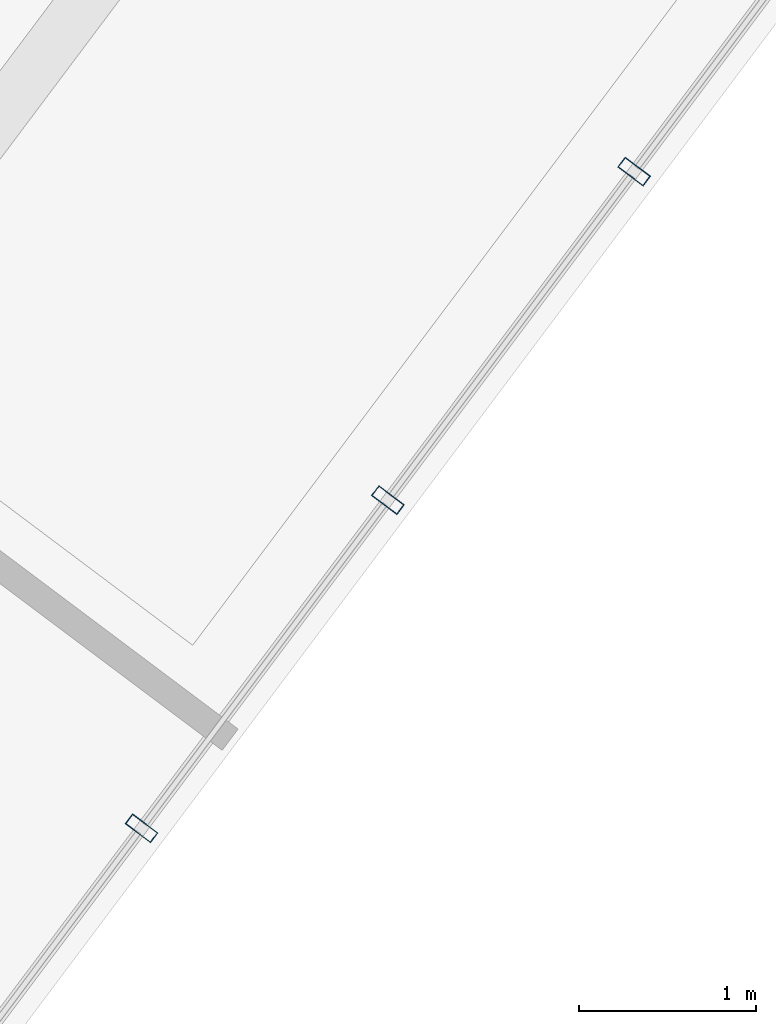
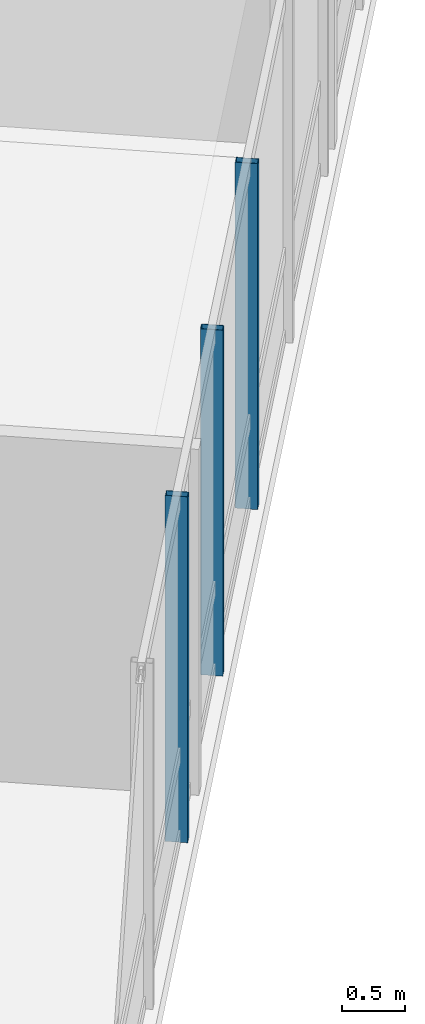
# One storey, part 11 of 24: 3 members, 1 element without a shape of its own.
"""IFC4 building model written with IfcOpenShell, lengths in metres."""

import ifcopenshell
import ifcopenshell.guid

model = None  # the IFC model being written
_history = None  # IfcOwnerHistory: only IFC2X3 demands one
_inside = {}  # id of a spatial element -> (the spatial element, [elements in it])
_under = {}  # id of a project, library or spatial element -> (it, [spatial elements below it])
_declared = {}  # id of a project -> (the project, [libraries it declares])
_typed = {}  # id of a type object -> (the type object, [elements of that type])
_made_of = {}  # id of a material, layer set ... -> (it, [elements and type objects made of it])


def new_model(schema):
    """Start an empty IFC model of exactly this schema.

    Asked for "IFC4X3", IfcOpenShell would pick the latest addendum, in which some entities
    have other attributes; the version numbers below select the first issue.
    IFC2X3 requires an IfcOwnerHistory on every rooted entity: one is made here for all.
    """
    global model, _history
    if schema == "IFC4X3":
        model = ifcopenshell.file(schema_version=(4, 3, 0, 0))
    else:
        model = ifcopenshell.file(schema=schema)
    _inside.clear()
    _under.clear()
    _declared.clear()
    _typed.clear()
    _made_of.clear()
    _history = None
    if model.schema == "IFC2X3":
        org = make("IfcOrganization", Name="unknown")
        user = make(
            "IfcPersonAndOrganization",
            ThePerson=make("IfcPerson", FamilyName="unknown"),
            TheOrganization=org,
        )
        app = make(
            "IfcApplication",
            ApplicationDeveloper=org,
            Version="unknown",
            ApplicationFullName="unknown",
            ApplicationIdentifier="unknown",
        )
        _history = make(
            "IfcOwnerHistory",
            OwningUser=user,
            OwningApplication=app,
            ChangeAction="ADDED",
            CreationDate=0,
        )
    return model


def make(cls, **values):
    """One entity of the class cls with the attributes given. An attribute that is None is left unset."""
    return model.create_entity(
        cls, **{name: value for name, value in values.items() if value is not None}
    )


def rooted(cls, **values):
    """An entity with a GlobalId (a new one), such as an element, a storey or a relation."""
    return make(cls, GlobalId=ifcopenshell.guid.new(), OwnerHistory=_history, **values)


def si_unit(unit_type, name, prefix=None):
    """IfcSIUnit, for example si_unit("LENGTHUNIT", "METRE", prefix="MILLI")."""
    return make("IfcSIUnit", UnitType=unit_type, Prefix=prefix, Name=name)


def assignment(units):
    """IfcUnitAssignment: the units of a project."""
    return None if units is None else make("IfcUnitAssignment", Units=units)


def point(xyz):
    """IfcCartesianPoint."""
    return None if xyz is None else make("IfcCartesianPoint", Coordinates=xyz)


def direction(xyz):
    """IfcDirection."""
    return None if xyz is None else make("IfcDirection", DirectionRatios=xyz)


def frame(location, z_axis=None, x_axis=None):
    """IfcAxis2Placement3D, a coordinate frame: its origin and axes. An axis left out is left unset."""
    return make(
        "IfcAxis2Placement3D",
        Location=point(location),
        Axis=direction(z_axis),
        RefDirection=direction(x_axis),
    )


def frame_2d(location, x_axis=None):
    """IfcAxis2Placement2D, a coordinate frame in the plane: its origin and x axis."""
    return make(
        "IfcAxis2Placement2D", Location=point(location), RefDirection=direction(x_axis)
    )


def origin():
    """The frame at (0, 0, 0) with its axes left unset."""
    return frame((0.0, 0.0, 0.0))


def origin_2d():
    """The frame at (0, 0) in the plane with its x axis left unset."""
    return frame_2d((0.0, 0.0))


def place(relative_to, where):
    """IfcLocalPlacement: puts the frame where relative to a parent placement (None: the world)."""
    return make(
        "IfcLocalPlacement", PlacementRelTo=relative_to, RelativePlacement=where
    )


def context(
    kind, dimensions, precision=None, world=None, true_north=None, identifier=None
):
    """IfcGeometricRepresentationContext, for example the 3D "Model" context."""
    return make(
        "IfcGeometricRepresentationContext",
        ContextIdentifier=identifier,
        ContextType=kind,
        CoordinateSpaceDimension=dimensions,
        Precision=precision,
        WorldCoordinateSystem=world,
        TrueNorth=true_north,
    )


def subcontext(parent, identifier, kind, view, scale=None):
    """IfcGeometricRepresentationSubContext, for example "Body" below "Model"."""
    return make(
        "IfcGeometricRepresentationSubContext",
        ContextIdentifier=identifier,
        ContextType=kind,
        ParentContext=parent,
        TargetScale=scale,
        TargetView=view,
    )


def project(units=None, contexts=None):
    """IfcProject with its units and contexts."""
    return rooted(
        "IfcProject",
        Name="project",
        RepresentationContexts=contexts,
        UnitsInContext=assignment(units),
    )


def spatial(cls, under=None, at=None, **own):
    """A site, building, storey or space (cls), placed at a placement, below another one or the project."""
    s = rooted(cls, ObjectPlacement=at, **own)
    if under is not None:
        _under.setdefault(under.id(), (under, []))[1].append(s)
    return s


def profile(cls, at=None, kind="AREA", **sizes):
    """A parametric profile (cls). Its sizes go by their IFC names, for example OverallWidth=200.0."""
    return make(cls, ProfileType=kind, Position=at, **sizes)


def hollow_rectangle(**sizes):
    """IfcRectangleHollowProfileDef."""
    return profile("IfcRectangleHollowProfileDef", **sizes)


def extrude(swept, where, along, depth):
    """IfcExtrudedAreaSolid: the profile swept, set in the frame where, extruded along a direction by depth."""
    return make(
        "IfcExtrudedAreaSolid",
        SweptArea=swept,
        Position=where,
        ExtrudedDirection=direction(along),
        Depth=depth,
    )


def shape(context_of_items, identifier, shape_type, items):
    """IfcShapeRepresentation: the items that make up one representation, for example the "Body"."""
    return make(
        "IfcShapeRepresentation",
        ContextOfItems=context_of_items,
        RepresentationIdentifier=identifier,
        RepresentationType=shape_type,
        Items=items,
    )


def material(Name=None, Category=None):
    """IfcMaterial."""
    return make("IfcMaterial", Name=Name, Category=Category)


def layer(
    of_material, thickness, ventilated=None, Name=None, Category=None, Priority=None
):
    """IfcMaterialLayer: one layer of a wall or slab, of a material (None: an air gap)."""
    return make(
        "IfcMaterialLayer",
        Material=of_material,
        LayerThickness=thickness,
        IsVentilated=ventilated,
        Name=Name,
        Category=Category,
        Priority=Priority,
    )


def layer_set(layers, Name=None):
    """IfcMaterialLayerSet."""
    return make("IfcMaterialLayerSet", MaterialLayers=layers, LayerSetName=Name)


def material_profile(
    of_material, cross_section, Name=None, Category=None, Priority=None
):
    """IfcMaterialProfile: a cross section and its material."""
    return make(
        "IfcMaterialProfile",
        Name=Name,
        Material=of_material,
        Profile=cross_section,
        Priority=Priority,
        Category=Category,
    )


def profile_set(profiles, Name=None, composite=None):
    """IfcMaterialProfileSet."""
    return make(
        "IfcMaterialProfileSet",
        Name=Name,
        MaterialProfiles=profiles,
        CompositeProfile=composite,
    )


def made_of(thing, what):
    """Note that an element or type object is made of a material, layer set ...; save() writes the relation."""
    if what is not None:
        _made_of.setdefault(what.id(), (what, []))[1].append(thing)
    return thing


def type_object(cls, material=None, **own):
    """A type object (cls), such as IfcWallType, which elements share."""
    return made_of(rooted(cls, **own), material)


def element(
    cls,
    number,
    at=None,
    inside=None,
    cuts=None,
    type_object=None,
    material=None,
    context=None,
    identifier="Body",
    shape_type=None,
    held_by="IfcProductDefinitionShape",
    body=None,
    shapes=None,
    **own,
):
    """One element of the class cls, such as IfcWall. Its Tag is "e" and its number.

    at: its placement. inside: the storey or other place that contains it. cuts: it is an
    opening in that element (IfcRelVoidsElement). A single representation is given by context,
    identifier, shape_type and body (its items); several are given by shapes. held_by: the class
    of the entity that holds the representations. save() writes the other relations.
    """
    e = rooted(cls, Tag="e%d" % number, ObjectPlacement=at, **own)
    if body is not None:
        shapes = [shape(context, identifier, shape_type, body)]
    if shapes is not None:
        e.Representation = make(held_by, Representations=shapes)
    if inside is not None:
        _inside.setdefault(inside.id(), (inside, []))[1].append(e)
    if cuts is not None:
        rooted(
            "IfcRelVoidsElement", RelatingBuildingElement=cuts, RelatedOpeningElement=e
        )
    if type_object is not None:
        _typed.setdefault(type_object.id(), (type_object, []))[1].append(e)
    return made_of(e, material)


def aggregate(whole, parts):
    """IfcRelAggregates: a whole, such as a stair, and the parts it consists of."""
    return rooted("IfcRelAggregates", RelatingObject=whole, RelatedObjects=parts)


def save(model, path):
    """Write the relations noted so far, then the file.

    IfcRelAggregates (storeys below a building ...), IfcRelContainedInSpatialStructure (elements
    in a storey), IfcRelDefinesByType, IfcRelAssociatesMaterial and IfcRelDeclares: one each for
    every whole, place, type object, material and project.
    """
    for whole, parts in _under.values():
        aggregate(whole, parts)
    for where, things in _inside.values():
        rooted(
            "IfcRelContainedInSpatialStructure",
            RelatedElements=things,
            RelatingStructure=where,
        )
    for kind, things in _typed.values():
        rooted("IfcRelDefinesByType", RelatedObjects=things, RelatingType=kind)
    for what, things in _made_of.values():
        rooted("IfcRelAssociatesMaterial", RelatedObjects=things, RelatingMaterial=what)
    for by, libraries in _declared.values():
        rooted("IfcRelDeclares", RelatingContext=by, RelatedDefinitions=libraries)
    model.write(path)


model = new_model("IFC4")

# Units and contexts
model_context = context("Model", 3, precision=1e-05, world=origin(), true_north=direction((0.0, 1.0)))
body_context = subcontext(model_context, "Body", "Model", "MODEL_VIEW")
ifc_project = project(units=[si_unit("LENGTHUNIT", "METRE"), si_unit("AREAUNIT", "SQUARE_METRE"), si_unit("VOLUMEUNIT", "CUBIC_METRE"), si_unit("PLANEANGLEUNIT", "RADIAN"), si_unit("MASSUNIT", "GRAM", prefix="KILO")], contexts=[model_context])

# Site, building, storey
site_placement = place(None, origin())
site = spatial("IfcSite", under=ifc_project, at=site_placement, CompositionType="ELEMENT")
building_placement = place(site_placement, origin())
building = spatial("IfcBuilding", under=site, at=building_placement, Name="Hatsunagi Terrace Concourse", CompositionType="ELEMENT")
storey_placement = place(building_placement, frame((0.0, 0.0, 213.14990234375)))
storey = spatial("IfcBuildingStorey", under=building, at=storey_placement, Name="L56", CompositionType="ELEMENT", Elevation=213.14990234375)

# Curtain wall, members
ifc_material_1 = material(Name="Anodised Aluminium Alloy 6063-T5", Category="aluminium")
ifc_layer = layer(ifc_material_1, 0.199951171875)
ifc_layer_set = layer_set([ifc_layer], Name="OfficeZone2_CW04")
curtain_wall_type = type_object("IfcCurtainWallType", Name="OfficeZone2_CW04", PredefinedType="NOTDEFINED", material=ifc_layer_set)
curtain_wall_placement = place(storey_placement, origin())
curtain_wall = element("IfcCurtainWall", 1, at=curtain_wall_placement, inside=storey, type_object=curtain_wall_type, Name="Unitised Curtain Wall CW-04 CW-L56-03", PredefinedType="NOTDEFINED")
ifc_material_2 = material(Name="Anodised Aluminium Alloy 6063-T5", Category="aluminium")
ifc_material_profile = material_profile(ifc_material_2, hollow_rectangle(XDim=0.070068359375, YDim=0.179931640625, WallThickness=0.00390625, at=origin_2d()), Name="ALU-MUL-180x70x4")
ifc_profile_set = profile_set([ifc_material_profile], Name="Anodised Aluminium Alloy 6063-T5")
member_type = type_object("IfcMemberType", Name="CurtainWallMullion_180x70", PredefinedType="MULLION", material=ifc_profile_set)
member_1_placement = place(storey_placement, frame((53.73193359375, 16.676025390625, 0.0), z_axis=(0.0, 0.0, 1.0), x_axis=(-0.599969314634, -0.800023013105, 0.0)))
member_1 = element("IfcMember", 2, at=member_1_placement, type_object=member_type, Name="Curtain Wall Mullion MUL-02", PredefinedType="MULLION", context=body_context, shape_type="SweptSolid", body=[
    extrude(hollow_rectangle(XDim=0.070068359375, YDim=0.179931640625, WallThickness=0.00390625, at=origin_2d()), origin(), (0.0, 0.0, 1.0), 3.35009765625),
])
member_2_placement = place(storey_placement, frame((52.340087890625, 14.819091796875, 0.0), z_axis=(0.0, 0.0, 1.0), x_axis=(-0.599969314634, -0.800023013105, 0.0)))
member_2 = element("IfcMember", 3, at=member_2_placement, type_object=member_type, Name="Curtain Wall Mullion MUL-02", PredefinedType="MULLION", context=body_context, shape_type="SweptSolid", body=[
    extrude(hollow_rectangle(XDim=0.070068359375, YDim=0.179931640625, WallThickness=0.00390625, at=origin_2d()), origin(), (0.0, 0.0, 1.0), 3.35009765625),
])
member_3_placement = place(storey_placement, frame((50.947021484375, 12.962890625, 0.0), z_axis=(0.0, 0.0, 1.0), x_axis=(-0.599969314634, -0.800023013105, 0.0)))
member_3 = element("IfcMember", 4, at=member_3_placement, type_object=member_type, Name="Curtain Wall Mullion MUL-02", PredefinedType="MULLION", context=body_context, shape_type="SweptSolid", body=[
    extrude(hollow_rectangle(XDim=0.070068359375, YDim=0.179931640625, WallThickness=0.00390625, at=origin_2d()), origin(), (0.0, 0.0, 1.0), 3.35009765625),
])
aggregate(curtain_wall, [member_1, member_2, member_3])

save(model, "model.ifc")
